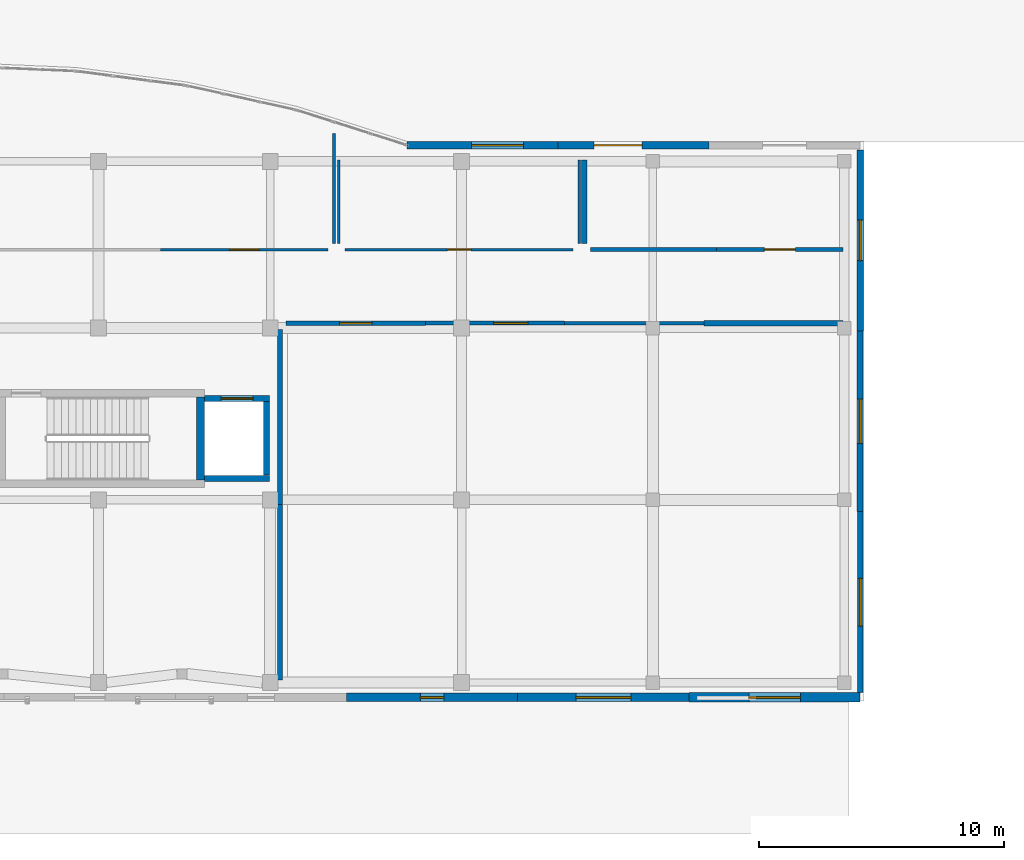
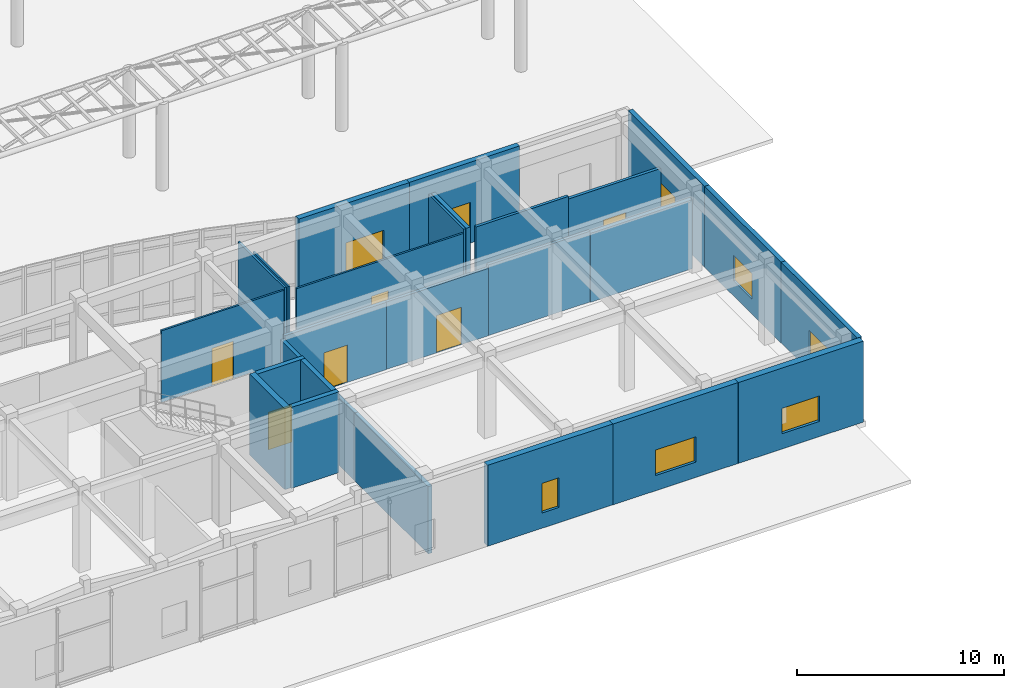
# One storey, part 99 of 121: 26 walls, 8 doors, 6 windows, 14 openings.
"""IFC4 building model written with IfcOpenShell, lengths in metres."""

from ifc_helpers import new_model, si_unit, direction, frame, frame_2d, origin, place, context, subcontext, project, spatial, rectangle, extrude, material, layer, layer_set, type_object, element, fill, save


model = new_model("IFC4")

# Units and contexts
model_context = context("Model", 3, precision=1e-05, world=origin(), true_north=direction((0.0, 1.0)))
body_context = subcontext(model_context, "Body", "Model", "MODEL_VIEW")
ifc_project = project(units=[si_unit("LENGTHUNIT", "METRE"), si_unit("AREAUNIT", "SQUARE_METRE"), si_unit("VOLUMEUNIT", "CUBIC_METRE"), si_unit("PLANEANGLEUNIT", "RADIAN"), si_unit("MASSUNIT", "GRAM", prefix="KILO")], contexts=[model_context])

# Site, building, storey
site_placement = place(None, origin())
site = spatial("IfcSite", under=ifc_project, at=site_placement, CompositionType="ELEMENT")
building_placement = place(site_placement, origin())
building = spatial("IfcBuilding", under=site, at=building_placement, Name="Valcora Specialist Clinic", CompositionType="ELEMENT")
storey_placement = place(building_placement, origin())
storey = spatial("IfcBuildingStorey", under=building, at=storey_placement, Name="L00", CompositionType="ELEMENT", Elevation=0.0)

# Wall
ifc_material_1 = material(Name="Concrete C40/50", Category="concrete")
ifc_layer_1 = layer(ifc_material_1, 0.320068359375)
ifc_layer_set_1 = layer_set([ifc_layer_1], Name="Concrete C40/50")
wall_type_1 = type_object("IfcWallType", Name="TY-WL-CR320", PredefinedType="SHEAR", material=ifc_layer_set_1)
wall_1_placement = place(storey_placement, frame((96.56005859375, 9.001953125, 0.0), z_axis=(0.0, 0.0, 1.0), x_axis=(0.0, 1.0, 0.0)))
element("IfcWall", 1, at=wall_1_placement, inside=storey, type_object=wall_type_1, Name="Core shear wall WL-CR-C-V6B-L00-E", PredefinedType="SHEAR", context=body_context, shape_type="SweptSolid", body=[
    extrude(rectangle(XDim=3.39599609375, YDim=0.320068359375, at=frame_2d((1.697998046875, 0.0))), origin(), (0.0, 0.0, 1.0), 4.77001953125),
])

# Wall, opening, window
ifc_material_2 = material(Name="Extruded Jalisco Clay Brick Masonry", Category="masonry")
ifc_layer_2 = layer(ifc_material_2, 0.235107421875)
ifc_layer_set_2 = layer_set([ifc_layer_2], Name="Extruded Jalisco Clay Brick Masonry")
wall_type_2 = type_object("IfcWallType", Name="TY-WL-EW235", PredefinedType="SOLIDWALL", material=ifc_layer_set_2)
wall_2_placement = place(storey_placement, frame((123.449951171875, 7.71337890625, 0.0), z_axis=(0.0, 0.0, 1.0), x_axis=(0.0, -1.0, 0.0)))
wall_2 = element("IfcWall", 2, at=wall_2_placement, inside=storey, type_object=wall_type_2, Name="Exterior wall WL-EXT-L00-0310", PredefinedType="SOLIDWALL", context=body_context, shape_type="SweptSolid", body=[
    extrude(rectangle(XDim=7.373291015625, YDim=0.235107421875, at=frame_2d((3.6865234375, 0.0))), origin(), (0.0, 0.0, 1.0), 4.77001953125),
])
opening_1_placement = place(wall_2_placement, frame((2.7119140625, 0.0, 0.89990234375)))
opening_1 = element("IfcOpeningElement", 3, at=opening_1_placement, cuts=wall_2, Name="Opening WN-08", PredefinedType="OPENING", context=body_context, shape_type="SweptSolid", body=[
    extrude(rectangle(XDim=1.949951171875, YDim=1.5, at=frame_2d((0.97509765625, 0.75))), frame((0.0, 0.12744140625, 0.0), z_axis=(0.0, -1.0, 0.0), x_axis=(1.0, 0.0, 0.0)), (0.0, 0.0, 1.0), 0.255126953125),
])
ifc_material_3 = material(Name="Low-E Laminated Insulating Glass", Category="glass")
window_type_1 = type_object("IfcWindowType", Name="TY-WN-08", PartitioningType="SINGLE_PANEL", PredefinedType="WINDOW", material=ifc_material_3)
window_1_placement = place(opening_1_placement, origin())
window_1 = element("IfcWindow", 4, at=window_1_placement, inside=storey, type_object=window_type_1, Name="Facade window WN-L00-0260", OverallHeight=1.5, OverallWidth=1.949951171875, PartitioningType="SINGLE_PANEL", PredefinedType="WINDOW", context=body_context, shape_type="SweptSolid", body=[
    extrude(rectangle(XDim=1.949951171875, YDim=1.5, at=frame_2d((0.97509765625, 0.75))), frame((0.0, 0.030029296875, 0.0), z_axis=(0.0, -1.0, 0.0), x_axis=(1.0, 0.0, 0.0)), (0.0, 0.0, 1.0), 0.06005859375),
])
fill(opening_1, window_1)

ifc_layer_3 = layer(ifc_material_2, 0.25)
ifc_layer_set_3 = layer_set([ifc_layer_3], Name="Extruded Jalisco Clay Brick Masonry")
wall_type_3 = type_object("IfcWallType", Name="TY-WL-EW250", PredefinedType="SOLIDWALL", material=ifc_layer_set_3)
wall_3_placement = place(storey_placement, frame((123.449951171875, 15.086669921875, 0.0), z_axis=(0.0, 0.0, 1.0), x_axis=(0.0, -1.0, 0.0)))
wall_3 = element("IfcWall", 5, at=wall_3_placement, inside=storey, type_object=wall_type_3, Name="Exterior wall WL-EXT-L00-0309", PredefinedType="SOLIDWALL", context=body_context, shape_type="SweptSolid", body=[
    extrude(rectangle(XDim=7.373291015625, YDim=0.25, at=frame_2d((3.6865234375, 0.0))), origin(), (0.0, 0.0, 1.0), 4.77001953125),
])
opening_2_placement = place(wall_3_placement, frame((2.787109375, 0.0, 0.89990234375)))
opening_2 = element("IfcOpeningElement", 6, at=opening_2_placement, cuts=wall_3, Name="Opening WN-07", PredefinedType="OPENING", context=body_context, shape_type="SweptSolid", body=[
    extrude(rectangle(XDim=1.800048828125, YDim=1.5, at=frame_2d((0.89990234375, 0.75))), frame((0.0, 0.135009765625, 0.0), z_axis=(0.0, -1.0, 0.0), x_axis=(1.0, 0.0, 0.0)), (0.0, 0.0, 1.0), 0.27001953125),
])
window_type_2 = type_object("IfcWindowType", Name="TY-WN-07", PartitioningType="SINGLE_PANEL", PredefinedType="WINDOW", material=ifc_material_3)
window_2_placement = place(opening_2_placement, origin())
window_2 = element("IfcWindow", 7, at=window_2_placement, inside=storey, type_object=window_type_2, Name="Facade window WN-L00-0259", OverallHeight=1.5, OverallWidth=1.800048828125, PartitioningType="SINGLE_PANEL", PredefinedType="WINDOW", context=body_context, shape_type="SweptSolid", body=[
    extrude(rectangle(XDim=1.800048828125, YDim=1.5, at=frame_2d((0.89990234375, 0.75))), frame((0.0, 0.030029296875, 0.0), z_axis=(0.0, -1.0, 0.0), x_axis=(1.0, 0.0, 0.0)), (0.0, 0.0, 1.0), 0.06005859375),
])
fill(opening_2, window_2)

ifc_layer_4 = layer(ifc_material_2, 0.264892578125)
ifc_layer_set_4 = layer_set([ifc_layer_4], Name="Extruded Jalisco Clay Brick Masonry")
wall_type_4 = type_object("IfcWallType", Name="TY-WL-EW265", PredefinedType="SOLIDWALL", material=ifc_layer_set_4)
wall_4_placement = place(storey_placement, frame((123.449951171875, 22.4599609375, 0.0), z_axis=(0.0, 0.0, 1.0), x_axis=(0.0, -1.0, 0.0)))
wall_4 = element("IfcWall", 8, at=wall_4_placement, inside=storey, type_object=wall_type_4, Name="Exterior wall WL-EXT-L00-0308", PredefinedType="SOLIDWALL", context=body_context, shape_type="SweptSolid", body=[
    extrude(rectangle(XDim=7.373291015625, YDim=0.264892578125, at=frame_2d((3.6865234375, 0.0))), origin(), (0.0, 0.0, 1.0), 4.77001953125),
])
opening_3_placement = place(wall_4_placement, frame((2.862060546875, 0.0, 0.89990234375)))
opening_3 = element("IfcOpeningElement", 9, at=opening_3_placement, cuts=wall_4, Name="Opening WN-06", PredefinedType="OPENING", context=body_context, shape_type="SweptSolid", body=[
    extrude(rectangle(XDim=1.64990234375, YDim=1.5, at=frame_2d((0.824951171875, 0.75))), frame((0.0, 0.142333984375, 0.0), z_axis=(0.0, -1.0, 0.0), x_axis=(1.0, 0.0, 0.0)), (0.0, 0.0, 1.0), 0.284912109375),
])
window_type_3 = type_object("IfcWindowType", Name="TY-WN-06", PartitioningType="SINGLE_PANEL", PredefinedType="WINDOW", material=ifc_material_3)
window_3_placement = place(opening_3_placement, origin())
window_3 = element("IfcWindow", 10, at=window_3_placement, inside=storey, type_object=window_type_3, Name="Facade window WN-L00-0258", OverallHeight=1.5, OverallWidth=1.64990234375, PartitioningType="SINGLE_PANEL", PredefinedType="WINDOW", context=body_context, shape_type="SweptSolid", body=[
    extrude(rectangle(XDim=1.64990234375, YDim=1.5, at=frame_2d((0.824951171875, 0.75))), frame((0.0, 0.030029296875, 0.0), z_axis=(0.0, -1.0, 0.0), x_axis=(1.0, 0.0, 0.0)), (0.0, 0.0, 1.0), 0.06005859375),
])
fill(opening_3, window_3)

# Wall, opening, door
ifc_layer_5 = layer(ifc_material_2, 0.294921875)
ifc_layer_set_5 = layer_set([ifc_layer_5], Name="Extruded Jalisco Clay Brick Masonry")
wall_type_5 = type_object("IfcWallType", Name="TY-WL-EW295", PredefinedType="SOLIDWALL", material=ifc_layer_set_5)
wall_5_placement = place(storey_placement, frame((111.134521484375, 22.64990234375, 0.0), z_axis=(0.0, 0.0, 1.0), x_axis=(1.0, 0.0, 0.0)))
wall_5 = element("IfcWall", 11, at=wall_5_placement, inside=storey, type_object=wall_type_5, Name="Exterior wall WL-EXT-L00-0306", PredefinedType="SOLIDWALL", context=body_context, shape_type="SweptSolid", body=[
    extrude(rectangle(XDim=6.15771484375, YDim=0.294921875, at=frame_2d((3.078857421875, 0.0))), origin(), (0.0, 0.0, 1.0), 4.77001953125),
])
opening_4_placement = place(wall_5_placement, frame((1.472900390625, 0.0, 0.0)))
opening_4 = element("IfcOpeningElement", 12, at=opening_4_placement, cuts=wall_5, Name="Opening DR-EX-195", PredefinedType="OPENING", context=body_context, shape_type="SweptSolid", body=[
    extrude(rectangle(XDim=1.949951171875, YDim=2.39990234375, at=frame_2d((0.97509765625, 1.199951171875))), frame((0.0, 0.157470703125, 0.0), z_axis=(0.0, -1.0, 0.0), x_axis=(1.0, 0.0, 0.0)), (0.0, 0.0, 1.0), 0.31494140625),
])
ifc_material_4 = material(Name="Anodized Bronze Aluminium 6063-T6", Category="aluminium")
door_type_1 = type_object("IfcDoorType", Name="TY-DR-EX195", OperationType="NOTDEFINED", PredefinedType="DOOR", material=ifc_material_4)
door_1_placement = place(opening_4_placement, origin())
door_1 = element("IfcDoor", 13, at=door_1_placement, inside=storey, type_object=door_type_1, Name="Exterior door DR-EXT-L00-022", OperationType="SINGLE_SWING_RIGHT", OverallHeight=2.39990234375, OverallWidth=1.949951171875, PredefinedType="DOOR", context=body_context, shape_type="SweptSolid", body=[
    extrude(rectangle(XDim=1.949951171875, YDim=2.39990234375, at=frame_2d((0.97509765625, 1.199951171875))), frame((0.0, 0.02490234375, 0.0), z_axis=(0.0, -1.0, 0.0), x_axis=(1.0, 0.0, 0.0)), (0.0, 0.0, 1.0), 0.050048828125),
])
fill(opening_4, door_1)

ifc_layer_6 = layer(ifc_material_2, 0.31005859375)
ifc_layer_set_6 = layer_set([ifc_layer_6], Name="Extruded Jalisco Clay Brick Masonry")
wall_type_6 = type_object("IfcWallType", Name="TY-WL-EW310", PredefinedType="SOLIDWALL", material=ifc_layer_set_6)
wall_6_placement = place(storey_placement, frame((104.976806640625, 22.64990234375, 0.0), z_axis=(0.0, 0.0, 1.0), x_axis=(1.0, 0.0, 0.0)))
wall_6 = element("IfcWall", 14, at=wall_6_placement, inside=storey, type_object=wall_type_6, Name="Exterior wall WL-EXT-L00-0305", PredefinedType="SOLIDWALL", context=body_context, shape_type="SweptSolid", body=[
    extrude(rectangle(XDim=6.15771484375, YDim=0.31005859375, at=frame_2d((3.078857421875, 0.0))), origin(), (0.0, 0.0, 1.0), 4.77001953125),
])
opening_5_placement = place(wall_6_placement, frame((2.637939453125, 0.0, 0.0)))
opening_5 = element("IfcOpeningElement", 15, at=opening_5_placement, cuts=wall_6, Name="Opening DR-EX-210", PredefinedType="OPENING", context=body_context, shape_type="SweptSolid", body=[
    extrude(rectangle(XDim=2.10009765625, YDim=2.449951171875, at=frame_2d((1.050048828125, 1.22509765625))), frame((0.0, 0.1650390625, 0.0), z_axis=(0.0, -1.0, 0.0), x_axis=(1.0, 0.0, 0.0)), (0.0, 0.0, 1.0), 0.330078125),
])
door_type_2 = type_object("IfcDoorType", Name="TY-DR-EX210", OperationType="NOTDEFINED", PredefinedType="DOOR", material=ifc_material_4)
door_2_placement = place(opening_5_placement, origin())
door_2 = element("IfcDoor", 16, at=door_2_placement, inside=storey, type_object=door_type_2, Name="Exterior door DR-EXT-L00-021", OperationType="SINGLE_SWING_LEFT", OverallHeight=2.449951171875, OverallWidth=2.10009765625, PredefinedType="DOOR", context=body_context, shape_type="SweptSolid", body=[
    extrude(rectangle(XDim=2.10009765625, YDim=2.449951171875, at=frame_2d((1.050048828125, 1.22509765625))), frame((0.0, 0.02490234375, 0.0), z_axis=(0.0, -1.0, 0.0), x_axis=(1.0, 0.0, 0.0)), (0.0, 0.0, 1.0), 0.050048828125),
])
fill(opening_5, door_2)

# Wall, opening, window
ifc_layer_7 = layer(ifc_material_2, 0.340087890625)
ifc_layer_set_7 = layer_set([ifc_layer_7], Name="Extruded Jalisco Clay Brick Masonry")
wall_type_7 = type_object("IfcWallType", Name="TY-WL-EW340", PredefinedType="SOLIDWALL", material=ifc_layer_set_7)
wall_7_placement = place(storey_placement, frame((109.489990234375, 0.14990234375, 0.0), z_axis=(0.0, 0.0, 1.0), x_axis=(-1.0, 0.0, 0.0)))
wall_7 = element("IfcWall", 17, at=wall_7_placement, inside=storey, type_object=wall_type_7, Name="Exterior wall WL-EXT-L00-0313", PredefinedType="SOLIDWALL", context=body_context, shape_type="SweptSolid", body=[
    extrude(rectangle(XDim=6.97998046875, YDim=0.340087890625, at=frame_2d((3.489990234375, 0.0))), origin(), (0.0, 0.0, 1.0), 4.77001953125),
])
opening_6_placement = place(wall_7_placement, frame((3.014892578125, 0.0, 0.89990234375)))
opening_6 = element("IfcOpeningElement", 18, at=opening_6_placement, cuts=wall_7, Name="Opening WN-11", PredefinedType="OPENING", context=body_context, shape_type="SweptSolid", body=[
    extrude(rectangle(XDim=0.949951171875, YDim=1.75, at=frame_2d((0.47509765625, 0.875))), frame((0.0, 0.179931640625, 0.0), z_axis=(0.0, -1.0, 0.0), x_axis=(1.0, 0.0, 0.0)), (0.0, 0.0, 1.0), 0.360107421875),
])
window_type_4 = type_object("IfcWindowType", Name="TY-WN-11", PartitioningType="SINGLE_PANEL", PredefinedType="WINDOW", material=ifc_material_3)
window_4_placement = place(opening_6_placement, origin())
window_4 = element("IfcWindow", 19, at=window_4_placement, inside=storey, type_object=window_type_4, Name="Facade window WN-L00-0263", OverallHeight=1.75, OverallWidth=0.949951171875, PartitioningType="SINGLE_PANEL", PredefinedType="WINDOW", context=body_context, shape_type="SweptSolid", body=[
    extrude(rectangle(XDim=0.949951171875, YDim=1.75, at=frame_2d((0.47509765625, 0.875))), frame((0.0, 0.030029296875, 0.0), z_axis=(0.0, -1.0, 0.0), x_axis=(1.0, 0.0, 0.0)), (0.0, 0.0, 1.0), 0.06005859375),
])
fill(opening_6, window_4)

ifc_layer_8 = layer(ifc_material_2, 0.35498046875)
ifc_layer_set_8 = layer_set([ifc_layer_8], Name="Extruded Jalisco Clay Brick Masonry")
wall_type_8 = type_object("IfcWallType", Name="TY-WL-EW355", PredefinedType="SOLIDWALL", material=ifc_layer_set_8)
wall_8_placement = place(storey_placement, frame((116.469970703125, 0.14990234375, 0.0), z_axis=(0.0, 0.0, 1.0), x_axis=(-1.0, 0.0, 0.0)))
wall_8 = element("IfcWall", 20, at=wall_8_placement, inside=storey, type_object=wall_type_8, Name="Exterior wall WL-EXT-L00-0312", PredefinedType="SOLIDWALL", context=body_context, shape_type="SweptSolid", body=[
    extrude(rectangle(XDim=6.97998046875, YDim=0.35498046875, at=frame_2d((3.489990234375, 0.0))), origin(), (0.0, 0.0, 1.0), 4.77001953125),
])
opening_7_placement = place(wall_8_placement, frame((2.364990234375, 0.0, 0.89990234375)))
opening_7 = element("IfcOpeningElement", 21, at=opening_7_placement, cuts=wall_8, Name="Opening WN-10", PredefinedType="OPENING", context=body_context, shape_type="SweptSolid", body=[
    extrude(rectangle(XDim=2.25, YDim=1.5, at=frame_2d((1.125, 0.75))), frame((0.0, 0.1875, 0.0), z_axis=(0.0, -1.0, 0.0), x_axis=(1.0, 0.0, 0.0)), (0.0, 0.0, 1.0), 0.375),
])
window_type_5 = type_object("IfcWindowType", Name="TY-WN-10", PartitioningType="SINGLE_PANEL", PredefinedType="WINDOW", material=ifc_material_3)
window_5_placement = place(opening_7_placement, origin())
window_5 = element("IfcWindow", 22, at=window_5_placement, inside=storey, type_object=window_type_5, Name="Facade window WN-L00-0262", OverallHeight=1.5, OverallWidth=2.25, PartitioningType="SINGLE_PANEL", PredefinedType="WINDOW", context=body_context, shape_type="SweptSolid", body=[
    extrude(rectangle(XDim=2.25, YDim=1.5, at=frame_2d((1.125, 0.75))), frame((0.0, 0.030029296875, 0.0), z_axis=(0.0, -1.0, 0.0), x_axis=(1.0, 0.0, 0.0)), (0.0, 0.0, 1.0), 0.06005859375),
])
fill(opening_7, window_5)

ifc_layer_9 = layer(ifc_material_2, 0.3701171875)
ifc_layer_set_9 = layer_set([ifc_layer_9], Name="Extruded Jalisco Clay Brick Masonry")
wall_type_9 = type_object("IfcWallType", Name="TY-WL-EW370", PredefinedType="SOLIDWALL", material=ifc_layer_set_9)
wall_9_placement = place(storey_placement, frame((123.449951171875, 0.14990234375, 0.0), z_axis=(0.0, 0.0, 1.0), x_axis=(-1.0, 0.0, 0.0)))
wall_9 = element("IfcWall", 23, at=wall_9_placement, inside=storey, type_object=wall_type_9, Name="Exterior wall WL-EXT-L00-0311", PredefinedType="SOLIDWALL", context=body_context, shape_type="SweptSolid", body=[
    extrude(rectangle(XDim=6.97998046875, YDim=0.3701171875, at=frame_2d((3.489990234375, 0.0))), origin(), (0.0, 0.0, 1.0), 4.77001953125),
])
opening_8_placement = place(wall_9_placement, frame((2.43994140625, 0.0, 0.89990234375)))
opening_8 = element("IfcOpeningElement", 24, at=opening_8_placement, cuts=wall_9, Name="Opening WN-09", PredefinedType="OPENING", context=body_context, shape_type="SweptSolid", body=[
    extrude(rectangle(XDim=2.10009765625, YDim=1.5, at=frame_2d((1.050048828125, 0.75))), frame((0.0, 0.195068359375, 0.0), z_axis=(0.0, -1.0, 0.0), x_axis=(1.0, 0.0, 0.0)), (0.0, 0.0, 1.0), 0.39013671875),
])
window_type_6 = type_object("IfcWindowType", Name="TY-WN-09", PartitioningType="SINGLE_PANEL", PredefinedType="WINDOW", material=ifc_material_3)
window_6_placement = place(opening_8_placement, origin())
window_6 = element("IfcWindow", 25, at=window_6_placement, inside=storey, type_object=window_type_6, Name="Facade window WN-L00-0261", OverallHeight=1.5, OverallWidth=2.10009765625, PartitioningType="SINGLE_PANEL", PredefinedType="WINDOW", context=body_context, shape_type="SweptSolid", body=[
    extrude(rectangle(XDim=2.10009765625, YDim=1.5, at=frame_2d((1.050048828125, 0.75))), frame((0.0, 0.030029296875, 0.0), z_axis=(0.0, -1.0, 0.0), x_axis=(1.0, 0.0, 0.0)), (0.0, 0.0, 1.0), 0.06005859375),
])
fill(opening_8, window_6)

# Wall
ifc_material_5 = material(Name="Gypsum Board Partition Assembly")
ifc_layer_10 = layer(ifc_material_5, 0.094970703125)
ifc_layer_set_10 = layer_set([ifc_layer_10], Name="Gypsum Board Partition Assembly")
wall_type_10 = type_object("IfcWallType", Name="TY-WL-PT095", PredefinedType="PARTITIONING", material=ifc_layer_set_10)
wall_10_placement = place(storey_placement, frame((102.199951171875, 18.64990234375, 0.0), z_axis=(0.0, 0.0, 1.0), x_axis=(0.0, 1.0, 0.0)))
element("IfcWall", 26, at=wall_10_placement, inside=storey, type_object=wall_type_10, Name="Interior partition WL-INT-L00-0149", PredefinedType="PARTITIONING", context=body_context, shape_type="SweptSolid", body=[
    extrude(rectangle(XDim=3.400146484375, YDim=0.094970703125, at=frame_2d((1.7001953125, 0.0))), origin(), (0.0, 0.0, 1.0), 4.1201171875),
])

# Wall, opening, door
ifc_layer_11 = layer(ifc_material_5, 0.10498046875)
ifc_layer_set_11 = layer_set([ifc_layer_11], Name="Gypsum Board Partition Assembly")
wall_type_11 = type_object("IfcWallType", Name="TY-WL-PT105", PredefinedType="PARTITIONING", material=ifc_layer_set_11)
wall_11_placement = place(storey_placement, frame((101.75, 18.39990234375, 0.0), z_axis=(0.0, 0.0, 1.0), x_axis=(-1.0, 0.0, 0.0)))
wall_11 = element("IfcWall", 27, at=wall_11_placement, inside=storey, type_object=wall_type_11, Name="Interior partition WL-INT-L00-0136", PredefinedType="PARTITIONING", context=body_context, shape_type="SweptSolid", body=[
    extrude(rectangle(XDim=6.820068359375, YDim=0.10498046875, at=frame_2d((3.41015625, 0.0))), origin(), (0.0, 0.0, 1.0), 4.219970703125),
])
opening_9_placement = place(wall_11_placement, frame((2.820068359375, 0.0, 0.0)))
opening_9 = element("IfcOpeningElement", 28, at=opening_9_placement, cuts=wall_11, Name="Opening DR-CN-118", PredefinedType="OPENING", context=body_context, shape_type="SweptSolid", body=[
    extrude(rectangle(XDim=1.179931640625, YDim=2.199951171875, at=frame_2d((0.58984375, 1.10009765625))), frame((0.0, 0.0625, 0.0), z_axis=(0.0, -1.0, 0.0), x_axis=(1.0, 0.0, 0.0)), (0.0, 0.0, 1.0), 0.125),
])
ifc_material_6 = material(Name="Glulam Conifer Class 24F", Category="wood")
door_type_3 = type_object("IfcDoorType", Name="TY-DR-CN118", OperationType="NOTDEFINED", PredefinedType="DOOR", material=ifc_material_6)
door_3_placement = place(opening_9_placement, origin())
door_3 = element("IfcDoor", 29, at=door_3_placement, inside=storey, type_object=door_type_3, Name="Interior door DR-INT-L00-0037", OperationType="SINGLE_SWING_LEFT", OverallHeight=2.199951171875, OverallWidth=1.179931640625, PredefinedType="DOOR", context=body_context, shape_type="SweptSolid", body=[
    extrude(rectangle(XDim=1.179931640625, YDim=2.199951171875, at=frame_2d((0.58984375, 1.10009765625))), frame((0.0, 0.02490234375, 0.0), z_axis=(0.0, -1.0, 0.0), x_axis=(1.0, 0.0, 0.0)), (0.0, 0.0, 1.0), 0.050048828125),
])
fill(opening_9, door_3)

wall_12_placement = place(storey_placement, frame((111.75, 18.39990234375, 0.0), z_axis=(0.0, 0.0, 1.0), x_axis=(-1.0, 0.0, 0.0)))
wall_12 = element("IfcWall", 30, at=wall_12_placement, inside=storey, type_object=wall_type_11, Name="Interior partition WL-INT-L00-0148", PredefinedType="PARTITIONING", context=body_context, shape_type="SweptSolid", body=[
    extrude(rectangle(XDim=9.300048828125, YDim=0.10498046875, at=frame_2d((4.64990234375, 0.0))), origin(), (0.0, 0.0, 1.0), 4.070068359375),
])
opening_10_placement = place(wall_12_placement, frame((4.175048828125, 0.0, 0.0)))
opening_10 = element("IfcOpeningElement", 31, at=opening_10_placement, cuts=wall_12, Name="Opening DR-WC-095", PredefinedType="OPENING", context=body_context, shape_type="SweptSolid", body=[
    extrude(rectangle(XDim=0.949951171875, YDim=2.14990234375, at=frame_2d((0.47509765625, 1.074951171875))), frame((0.0, 0.0625, 0.0), z_axis=(0.0, -1.0, 0.0), x_axis=(1.0, 0.0, 0.0)), (0.0, 0.0, 1.0), 0.125),
])
door_type_4 = type_object("IfcDoorType", Name="TY-DR-WC095", OperationType="NOTDEFINED", PredefinedType="DOOR", material=ifc_material_6)
door_4_placement = place(opening_10_placement, origin())
door_4 = element("IfcDoor", 32, at=door_4_placement, inside=storey, type_object=door_type_4, Name="Interior door DR-INT-L00-0040", OperationType="SINGLE_SWING_RIGHT", OverallHeight=2.14990234375, OverallWidth=0.949951171875, PredefinedType="DOOR", context=body_context, shape_type="SweptSolid", body=[
    extrude(rectangle(XDim=0.949951171875, YDim=2.14990234375, at=frame_2d((0.47509765625, 1.074951171875))), frame((0.0, 0.02490234375, 0.0), z_axis=(0.0, -1.0, 0.0), x_axis=(1.0, 0.0, 0.0)), (0.0, 0.0, 1.0), 0.050048828125),
])
fill(opening_10, door_4)

# Walls
ifc_layer_12 = layer(ifc_material_5, 0.114990234375)
ifc_layer_set_12 = layer_set([ifc_layer_12], Name="Gypsum Board Partition Assembly")
wall_type_12 = type_object("IfcWallType", Name="TY-WL-PT115", PredefinedType="PARTITIONING", material=ifc_layer_set_12)
wall_13_placement = place(storey_placement, frame((102.0, 23.126953125, 0.0), z_axis=(0.0, 0.0, 1.0), x_axis=(0.0, -1.0, 0.0)))
element("IfcWall", 33, at=wall_13_placement, inside=storey, type_object=wall_type_12, Name="Interior partition WL-INT-L00-0135", PredefinedType="PARTITIONING", context=body_context, shape_type="SweptSolid", body=[
    extrude(rectangle(XDim=4.47705078125, YDim=0.114990234375, at=frame_2d((2.238525390625, 0.0))), origin(), (0.0, 0.0, 1.0), 4.1201171875),
])
wall_14_placement = place(storey_placement, frame((112.0, 22.050048828125, 0.0), z_axis=(0.0, 0.0, 1.0), x_axis=(0.0, -1.0, 0.0)))
element("IfcWall", 34, at=wall_14_placement, inside=storey, type_object=wall_type_12, Name="Interior partition WL-INT-L00-0147", PredefinedType="PARTITIONING", context=body_context, shape_type="SweptSolid", body=[
    extrude(rectangle(XDim=3.400146484375, YDim=0.114990234375, at=frame_2d((1.7001953125, 0.0))), origin(), (0.0, 0.0, 1.0), 4.070068359375),
])
ifc_layer_13 = layer(ifc_material_5, 0.155029296875)
ifc_layer_set_13 = layer_set([ifc_layer_13], Name="Gypsum Board Partition Assembly")
wall_type_13 = type_object("IfcWallType", Name="TY-WL-PT155", PredefinedType="PARTITIONING", material=ifc_layer_set_13)
wall_15_placement = place(storey_placement, frame((111.39990234375, 15.39990234375, 0.0), z_axis=(0.0, 0.0, 1.0), x_axis=(1.0, 0.0, 0.0)))
element("IfcWall", 35, at=wall_15_placement, inside=storey, type_object=wall_type_13, Name="Interior partition WL-INT-L00-0143", PredefinedType="PARTITIONING", context=body_context, shape_type="SweptSolid", body=[
    extrude(rectangle(XDim=5.675048828125, YDim=0.155029296875, at=frame_2d((2.83740234375, 0.0))), origin(), (0.0, 0.0, 1.0), 4.169921875),
])
wall_16_placement = place(storey_placement, frame((117.60009765625, 18.39990234375, 0.0), z_axis=(0.0, 0.0, 1.0), x_axis=(-1.0, 0.0, 0.0)))
element("IfcWall", 36, at=wall_16_placement, inside=storey, type_object=wall_type_13, Name="Interior partition WL-INT-L00-0151", PredefinedType="PARTITIONING", context=body_context, shape_type="SweptSolid", body=[
    extrude(rectangle(XDim=5.150146484375, YDim=0.155029296875, at=frame_2d((2.5751953125, 0.0))), origin(), (0.0, 0.0, 1.0), 4.219970703125),
])

# Wall, opening, door
ifc_layer_14 = layer(ifc_material_5, 0.1650390625)
ifc_layer_set_14 = layer_set([ifc_layer_14], Name="Gypsum Board Partition Assembly")
wall_type_14 = type_object("IfcWallType", Name="TY-WL-PT165", PredefinedType="PARTITIONING", material=ifc_layer_set_14)
wall_17_placement = place(storey_placement, frame((105.72509765625, 15.39990234375, 0.0), z_axis=(0.0, 0.0, 1.0), x_axis=(1.0, 0.0, 0.0)))
wall_17 = element("IfcWall", 37, at=wall_17_placement, inside=storey, type_object=wall_type_14, Name="Interior partition WL-INT-L00-0142", PredefinedType="PARTITIONING", context=body_context, shape_type="SweptSolid", body=[
    extrude(rectangle(XDim=5.6748046875, YDim=0.1650390625, at=frame_2d((2.83740234375, 0.0))), origin(), (0.0, 0.0, 1.0), 3.969970703125),
])
opening_11_placement = place(wall_17_placement, frame((2.779052734375, 0.0, 0.0)))
opening_11 = element("IfcOpeningElement", 38, at=opening_11_placement, cuts=wall_17, Name="Opening DR-LB-140", PredefinedType="OPENING", context=body_context, shape_type="SweptSolid", body=[
    extrude(rectangle(XDim=1.39990234375, YDim=2.199951171875, at=frame_2d((0.699951171875, 1.10009765625))), frame((0.0, 0.092529296875, 0.0), z_axis=(0.0, -1.0, 0.0), x_axis=(1.0, 0.0, 0.0)), (0.0, 0.0, 1.0), 0.18505859375),
])
door_type_5 = type_object("IfcDoorType", Name="TY-DR-LB140", OperationType="NOTDEFINED", PredefinedType="DOOR", material=ifc_material_4)
door_5_placement = place(opening_11_placement, origin())
door_5 = element("IfcDoor", 39, at=door_5_placement, inside=storey, type_object=door_type_5, Name="Interior door DR-INT-L00-0039", OperationType="SINGLE_SWING_LEFT", OverallHeight=2.199951171875, OverallWidth=1.39990234375, PredefinedType="DOOR", context=body_context, shape_type="SweptSolid", body=[
    extrude(rectangle(XDim=1.39990234375, YDim=2.199951171875, at=frame_2d((0.699951171875, 1.10009765625))), frame((0.0, 0.02490234375, 0.0), z_axis=(0.0, -1.0, 0.0), x_axis=(1.0, 0.0, 0.0)), (0.0, 0.0, 1.0), 0.050048828125),
])
fill(opening_11, door_5)

wall_18_placement = place(storey_placement, frame((122.75, 18.39990234375, 0.0), z_axis=(0.0, 0.0, 1.0), x_axis=(-1.0, 0.0, 0.0)))
wall_18 = element("IfcWall", 40, at=wall_18_placement, inside=storey, type_object=wall_type_14, Name="Interior partition WL-INT-L00-0150", PredefinedType="PARTITIONING", context=body_context, shape_type="SweptSolid", body=[
    extrude(rectangle(XDim=5.14990234375, YDim=0.1650390625, at=frame_2d((2.574951171875, 0.0))), origin(), (0.0, 0.0, 1.0), 4.070068359375),
])
opening_12_placement = place(wall_18_placement, frame((1.945068359375, 0.0, 0.0)))
opening_12 = element("IfcOpeningElement", 41, at=opening_12_placement, cuts=wall_18, Name="Opening DR-SR-126", PredefinedType="OPENING", context=body_context, shape_type="SweptSolid", body=[
    extrude(rectangle(XDim=1.260009765625, YDim=2.14990234375, at=frame_2d((0.6298828125, 1.074951171875))), frame((0.0, 0.092529296875, 0.0), z_axis=(0.0, -1.0, 0.0), x_axis=(1.0, 0.0, 0.0)), (0.0, 0.0, 1.0), 0.18505859375),
])
ifc_material_7 = material(Name="Galvanized Hollow Metal Door Steel ASTM A653", Category="steel")
door_type_6 = type_object("IfcDoorType", Name="TY-DR-SR126", OperationType="NOTDEFINED", PredefinedType="DOOR", material=ifc_material_7)
door_6_placement = place(opening_12_placement, origin())
door_6 = element("IfcDoor", 42, at=door_6_placement, inside=storey, type_object=door_type_6, Name="Interior door DR-INT-L00-0041", OperationType="SINGLE_SWING_LEFT", OverallHeight=2.14990234375, OverallWidth=1.260009765625, PredefinedType="DOOR", context=body_context, shape_type="SweptSolid", body=[
    extrude(rectangle(XDim=1.260009765625, YDim=2.14990234375, at=frame_2d((0.6298828125, 1.074951171875))), frame((0.0, 0.02490234375, 0.0), z_axis=(0.0, -1.0, 0.0), x_axis=(1.0, 0.0, 0.0)), (0.0, 0.0, 1.0), 0.050048828125),
])
fill(opening_12, door_6)

ifc_layer_15 = layer(ifc_material_5, 0.175048828125)
ifc_layer_set_15 = layer_set([ifc_layer_15], Name="Gypsum Board Partition Assembly")
wall_type_15 = type_object("IfcWallType", Name="TY-WL-PT175", PredefinedType="PARTITIONING", material=ifc_layer_set_15)
wall_19_placement = place(storey_placement, frame((100.050048828125, 15.39990234375, 0.0), z_axis=(0.0, 0.0, 1.0), x_axis=(1.0, 0.0, 0.0)))
wall_19 = element("IfcWall", 43, at=wall_19_placement, inside=storey, type_object=wall_type_15, Name="Interior partition WL-INT-L00-0141", PredefinedType="PARTITIONING", context=body_context, shape_type="SweptSolid", body=[
    extrude(rectangle(XDim=5.675048828125, YDim=0.175048828125, at=frame_2d((2.83740234375, 0.0))), origin(), (0.0, 0.0, 1.0), 3.969970703125),
])
opening_13_placement = place(wall_19_placement, frame((2.177001953125, 0.0, 0.0)))
opening_13 = element("IfcOpeningElement", 44, at=opening_13_placement, cuts=wall_19, Name="Opening DR-LB-132", PredefinedType="OPENING", context=body_context, shape_type="SweptSolid", body=[
    extrude(rectangle(XDim=1.320068359375, YDim=2.199951171875, at=frame_2d((0.66015625, 1.10009765625))), frame((0.0, 0.097412109375, 0.0), z_axis=(0.0, -1.0, 0.0), x_axis=(1.0, 0.0, 0.0)), (0.0, 0.0, 1.0), 0.195068359375),
])
door_type_7 = type_object("IfcDoorType", Name="TY-DR-LB132", OperationType="NOTDEFINED", PredefinedType="DOOR", material=ifc_material_4)
door_7_placement = place(opening_13_placement, origin())
door_7 = element("IfcDoor", 45, at=door_7_placement, inside=storey, type_object=door_type_7, Name="Interior door DR-INT-L00-0038", OperationType="SINGLE_SWING_RIGHT", OverallHeight=2.199951171875, OverallWidth=1.320068359375, PredefinedType="DOOR", context=body_context, shape_type="SweptSolid", body=[
    extrude(rectangle(XDim=1.320068359375, YDim=2.199951171875, at=frame_2d((0.66015625, 1.10009765625))), frame((0.0, 0.02490234375, 0.0), z_axis=(0.0, -1.0, 0.0), x_axis=(1.0, 0.0, 0.0)), (0.0, 0.0, 1.0), 0.050048828125),
])
fill(opening_13, door_7)

# Walls
ifc_material_8 = material(Name="Lead-Lined Gypsum Partition Assembly")
ifc_layer_16 = layer(ifc_material_8, 0.205078125)
ifc_layer_set_16 = layer_set([ifc_layer_16], Name="Lead-Lined Gypsum Partition Assembly")
wall_type_16 = type_object("IfcWallType", Name="TY-WL-PT205", PredefinedType="PARTITIONING", material=ifc_layer_set_16)
wall_20_placement = place(storey_placement, frame((99.800048828125, 8.0, 0.0), z_axis=(0.0, 0.0, 1.0), x_axis=(0.0, 1.0, 0.0)))
element("IfcWall", 46, at=wall_20_placement, inside=storey, type_object=wall_type_16, Name="Interior partition WL-INT-L00-0146", PredefinedType="PARTITIONING", context=body_context, shape_type="SweptSolid", body=[
    extrude(rectangle(XDim=7.14990234375, YDim=0.205078125, at=frame_2d((3.574951171875, 0.0))), origin(), (0.0, 0.0, 1.0), 3.969970703125),
])
ifc_layer_17 = layer(ifc_material_8, 0.215087890625)
ifc_layer_set_17 = layer_set([ifc_layer_17], Name="Lead-Lined Gypsum Partition Assembly")
wall_type_17 = type_object("IfcWallType", Name="TY-WL-PT215", PredefinedType="PARTITIONING", material=ifc_layer_set_17)
wall_21_placement = place(storey_placement, frame((99.800048828125, 0.85009765625, 0.0), z_axis=(0.0, 0.0, 1.0), x_axis=(0.0, 1.0, 0.0)))
element("IfcWall", 47, at=wall_21_placement, inside=storey, type_object=wall_type_17, Name="Interior partition WL-INT-L00-0145", PredefinedType="PARTITIONING", context=body_context, shape_type="SweptSolid", body=[
    extrude(rectangle(XDim=7.14990234375, YDim=0.215087890625, at=frame_2d((3.574951171875, 0.0))), origin(), (0.0, 0.0, 1.0), 3.969970703125),
])
ifc_layer_18 = layer(ifc_material_8, 0.22998046875)
ifc_layer_set_18 = layer_set([ifc_layer_18], Name="Lead-Lined Gypsum Partition Assembly")
wall_type_18 = type_object("IfcWallType", Name="TY-WL-PT230", PredefinedType="PARTITIONING", material=ifc_layer_set_18)
wall_22_placement = place(storey_placement, frame((117.074951171875, 15.39990234375, 0.0), z_axis=(0.0, 0.0, 1.0), x_axis=(1.0, 0.0, 0.0)))
element("IfcWall", 48, at=wall_22_placement, inside=storey, type_object=wall_type_18, Name="Interior partition WL-INT-L00-0144", PredefinedType="PARTITIONING", context=body_context, shape_type="SweptSolid", body=[
    extrude(rectangle(XDim=5.675048828125, YDim=0.22998046875, at=frame_2d((2.83740234375, 0.0))), origin(), (0.0, 0.0, 1.0), 4.070068359375),
])
wall_23_placement = place(storey_placement, frame((112.199951171875, 18.64990234375, 0.0), z_axis=(0.0, 0.0, 1.0), x_axis=(0.0, 1.0, 0.0)))
element("IfcWall", 49, at=wall_23_placement, inside=storey, type_object=wall_type_18, Name="Interior partition WL-INT-L00-0152", PredefinedType="PARTITIONING", context=body_context, shape_type="SweptSolid", body=[
    extrude(rectangle(XDim=3.400146484375, YDim=0.22998046875, at=frame_2d((1.7001953125, 0.0))), origin(), (0.0, 0.0, 1.0), 4.070068359375),
])
ifc_layer_19 = layer(ifc_material_1, 0.260009765625)
ifc_layer_set_19 = layer_set([ifc_layer_19], Name="Concrete C40/50")
wall_type_19 = type_object("IfcWallType", Name="TY-WL-SH260", PredefinedType="SHEAR", material=ifc_layer_set_19)
wall_24_placement = place(storey_placement, frame((96.721923828125, 9.070068359375, 0.0), z_axis=(0.0, 0.0, 1.0), x_axis=(1.0, 0.0, 0.0)))
element("IfcWall", 50, at=wall_24_placement, inside=storey, type_object=wall_type_19, Name="Lift shaft wall WL-LF-LF-08-L00-LS", PredefinedType="SHEAR", context=body_context, shape_type="SweptSolid", body=[
    extrude(rectangle(XDim=2.657958984375, YDim=0.260009765625, at=frame_2d((1.3291015625, 0.0))), origin(), (0.0, 0.0, 1.0), 4.77001953125),
])

# Wall, opening, door
wall_25_placement = place(storey_placement, frame((96.721923828125, 12.330078125, 0.0), z_axis=(0.0, 0.0, 1.0), x_axis=(1.0, 0.0, 0.0)))
wall_25 = element("IfcWall", 51, at=wall_25_placement, inside=storey, type_object=wall_type_19, Name="Lift shaft wall WL-LF-LF-08-L00-LN", PredefinedType="SHEAR", context=body_context, shape_type="SweptSolid", body=[
    extrude(rectangle(XDim=2.657958984375, YDim=0.260009765625, at=frame_2d((1.3291015625, 0.0))), origin(), (0.0, 0.0, 1.0), 4.77001953125),
])
opening_14_placement = place(wall_25_placement, frame((0.678955078125, 0.0, 0.0)))
opening_14 = element("IfcOpeningElement", 52, at=opening_14_placement, cuts=wall_25, Name="Opening LD-130", PredefinedType="OPENING", context=body_context, shape_type="SweptSolid", body=[
    extrude(rectangle(XDim=1.300048828125, YDim=2.199951171875, at=frame_2d((0.64990234375, 1.10009765625))), frame((0.0, 0.139892578125, 0.0), z_axis=(0.0, -1.0, 0.0), x_axis=(1.0, 0.0, 0.0)), (0.0, 0.0, 1.0), 0.280029296875),
])
ifc_material_9 = material(Name="Stainless Steel AISI 316", Category="steel")
door_type_8 = type_object("IfcDoorType", Name="TY-LD-130", OperationType="NOTDEFINED", PredefinedType="DOOR", material=ifc_material_9)
door_8_placement = place(opening_14_placement, origin())
door_8 = element("IfcDoor", 53, at=door_8_placement, inside=storey, type_object=door_type_8, Name="Lift landing sliding door LF-08 L00", OperationType="SLIDING_TO_RIGHT", OverallHeight=2.199951171875, OverallWidth=1.300048828125, PredefinedType="DOOR", context=body_context, shape_type="SweptSolid", body=[
    extrude(rectangle(XDim=1.300048828125, YDim=2.199951171875, at=frame_2d((0.64990234375, 1.10009765625))), frame((0.0, 0.02490234375, 0.0), z_axis=(0.0, -1.0, 0.0), x_axis=(1.0, 0.0, 0.0)), (0.0, 0.0, 1.0), 0.050048828125),
])
fill(opening_14, door_8)

# Wall
wall_26_placement = place(storey_placement, frame((99.25, 9.201904296875, 0.0), z_axis=(0.0, 0.0, 1.0), x_axis=(0.0, 1.0, 0.0)))
element("IfcWall", 54, at=wall_26_placement, inside=storey, type_object=wall_type_19, Name="Lift shaft wall WL-LF-LF-08-L00-LE", PredefinedType="SHEAR", context=body_context, shape_type="SweptSolid", body=[
    extrude(rectangle(XDim=2.99609375, YDim=0.260009765625, at=frame_2d((1.498046875, 0.0))), origin(), (0.0, 0.0, 1.0), 4.77001953125),
])

save(model, "model.ifc")
